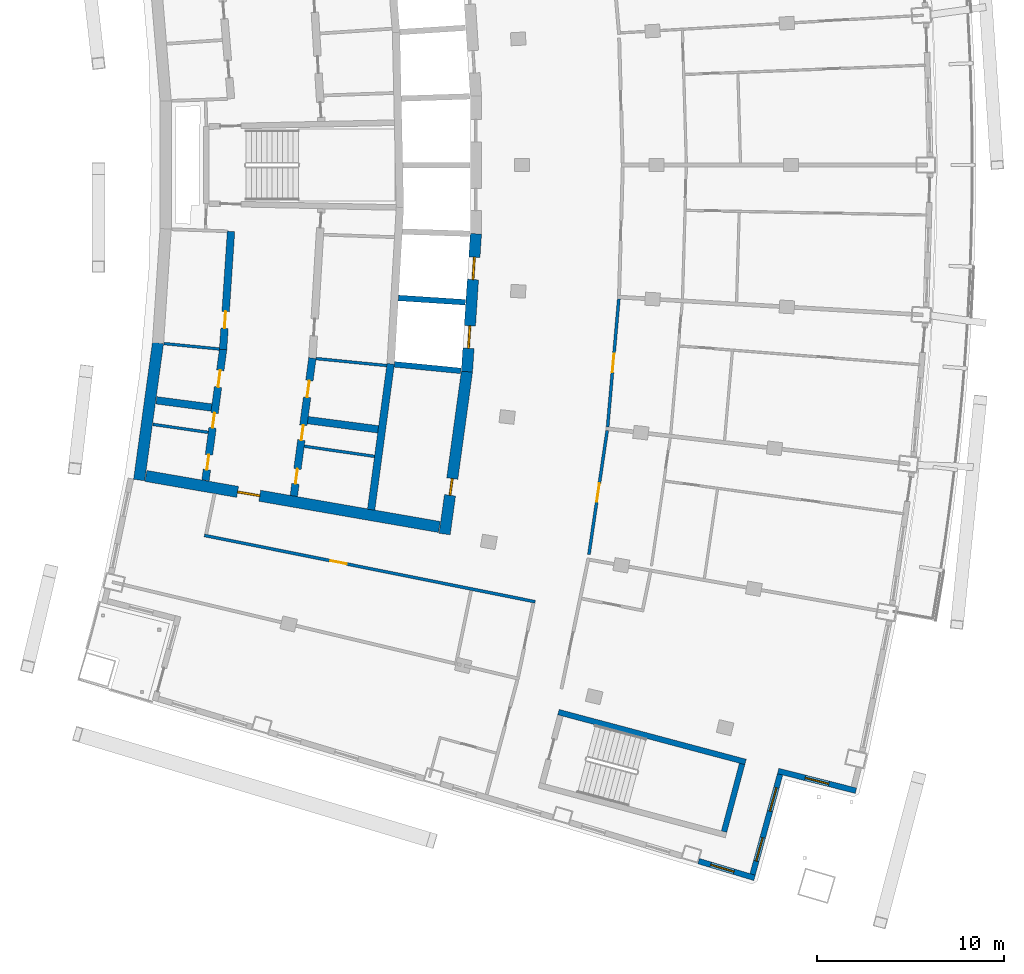
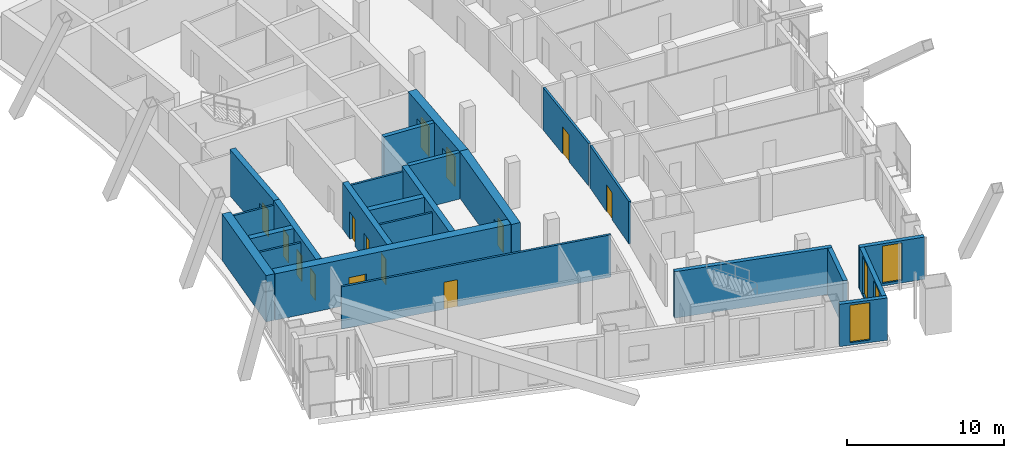
# One storey, part 10 of 19: 24 walls, 14 doors, 4 windows, 18 openings.
"""IFC4 building model written with IfcOpenShell, lengths in metres."""

from ifc_helpers import new_model, si_unit, direction, frame, frame_2d, origin, place, context, subcontext, project, spatial, rectangle, extrude, material, layer, layer_set, type_object, element, fill, save


model = new_model("IFC4")

# Units and contexts
model_context = context("Model", 3, precision=1e-05, world=origin(), true_north=direction((0.0, 1.0)))
body_context = subcontext(model_context, "Body", "Model", "MODEL_VIEW")
ifc_project = project(units=[si_unit("LENGTHUNIT", "METRE"), si_unit("AREAUNIT", "SQUARE_METRE"), si_unit("VOLUMEUNIT", "CUBIC_METRE"), si_unit("PLANEANGLEUNIT", "RADIAN"), si_unit("MASSUNIT", "GRAM", prefix="KILO")], contexts=[model_context])

# Site, building, storey
site_placement = place(None, origin())
site = spatial("IfcSite", under=ifc_project, at=site_placement, CompositionType="ELEMENT")
building_placement = place(site_placement, origin())
building = spatial("IfcBuilding", under=site, at=building_placement, Name="Alderwake Tower", CompositionType="ELEMENT")
storey_placement = place(building_placement, frame((0.0, 0.0, 221.60009765625)))
storey = spatial("IfcBuildingStorey", under=building, at=storey_placement, Name="L55", CompositionType="ELEMENT", Elevation=221.60009765625)

# Walls
ifc_material_1 = material(Name="Gypsum shaft wall system, rated")
ifc_layer_1 = layer(ifc_material_1, 0.14990234375)
ifc_layer_set_1 = layer_set([ifc_layer_1], Name="Core room partition 150")
wall_type_1 = type_object("IfcWallType", Name="Core room partition 150", PredefinedType="PARTITIONING", material=ifc_layer_set_1)
wall_1_placement = place(storey_placement, frame((16.064453125, 47.125, 0.0), z_axis=(0.0, 0.0, 1.0), x_axis=(0.989723849993, -0.142991960454, 0.0)))
element("IfcWall", 1, at=wall_1_placement, inside=storey, type_object=wall_type_1, Name="CW/L55/PR-150_+0", PredefinedType="PARTITIONING", context=body_context, shape_type="SweptSolid", body=[
    extrude(rectangle(XDim=2.98095703125, YDim=0.14990234375, at=frame_2d((1.490478515625, 0.0))), origin(), (0.0, 0.0, 1.0), 3.27978515625),
])
wall_2_placement = place(storey_placement, frame((24.158203125, 45.9560546875, 0.0), z_axis=(0.0, 0.0, 1.0), x_axis=(0.989724412664, -0.142988065858, 0.0)))
element("IfcWall", 2, at=wall_2_placement, inside=storey, type_object=wall_type_1, Name="CW/L55/PR-150_+86", PredefinedType="PARTITIONING", context=body_context, shape_type="SweptSolid", body=[
    extrude(rectangle(XDim=3.795654296875, YDim=0.14990234375, at=frame_2d((1.89794921875, 0.0))), origin(), (0.0, 0.0, 1.0), 3.27978515625),
])
wall_3_placement = place(storey_placement, frame((16.659423828125, 51.448486328125, 0.0), z_axis=(0.0, 0.0, 1.0), x_axis=(0.995154514796, -0.098323403527, 0.0)))
element("IfcWall", 3, at=wall_3_placement, inside=storey, type_object=wall_type_1, Name="CW/L55/PR-103_+0", PredefinedType="PARTITIONING", context=body_context, shape_type="SweptSolid", body=[
    extrude(rectangle(XDim=2.9697265625, YDim=0.14990234375, at=frame_2d((1.48486328125, 0.0))), origin(), (0.0, 0.0, 1.0), 3.27978515625),
])
wall_4_placement = place(storey_placement, frame((24.789794921875, 50.64501953125, 0.0), z_axis=(0.0, 0.0, 1.0), x_axis=(0.995153039802, -0.098338331148, 0.0)))
element("IfcWall", 4, at=wall_4_placement, inside=storey, type_object=wall_type_1, Name="CW/L55/PR-103_+86", PredefinedType="PARTITIONING", context=body_context, shape_type="SweptSolid", body=[
    extrude(rectangle(XDim=3.7958984375, YDim=0.14990234375, at=frame_2d((1.89794921875, 0.0))), origin(), (0.0, 0.0, 1.0), 3.27978515625),
])
ifc_material_2 = material(Name="Concrete C70/85", Category="concrete")
ifc_layer_2 = layer(ifc_material_2, 0.60009765625)
ifc_layer_set_2 = layer_set([ifc_layer_2], Name="Core wall outer 600 C70-85")
wall_type_2 = type_object("IfcWallType", Name="Core wall outer 600 C70-85", PredefinedType="SHEAR", material=ifc_layer_set_2)
wall_5_placement = place(storey_placement, frame((15.321533203125, 44.146240234375, 0.0), z_axis=(0.0, 0.0, 1.0), x_axis=(0.136316498814, 0.990665338119, 0.0)))
element("IfcWall", 5, at=wall_5_placement, inside=storey, type_object=wall_type_2, Name="Core wall CW.037", PredefinedType="SHEAR", context=body_context, shape_type="SweptSolid", body=[
    extrude(rectangle(XDim=7.41455078125, YDim=0.60009765625, at=frame_2d((3.707275390625, 0.0))), origin(), (0.0, 0.0, 1.0), 3.599853515625),
])

# Wall, opening, door
wall_6_placement = place(storey_placement, frame((32.862548828125, 49.967529296875, 0.0), z_axis=(0.0, 0.0, 1.0), x_axis=(-0.135856583698, -0.990728514108, 0.0)))
wall_6 = element("IfcWall", 6, at=wall_6_placement, inside=storey, type_object=wall_type_2, Name="Core wall CW.017", PredefinedType="SHEAR", context=body_context, shape_type="SweptSolid", body=[
    extrude(rectangle(XDim=8.79296875, YDim=0.60009765625, at=frame_2d((4.396484375, 0.0))), origin(), (0.0, 0.0, 1.0), 3.599853515625),
])
opening_1_placement = place(wall_6_placement, frame((5.79541015625, 0.0, 0.0)))
opening_1 = element("IfcOpeningElement", 7, at=opening_1_placement, cuts=wall_6, Name="Opening C060", PredefinedType="OPENING", context=body_context, shape_type="SweptSolid", body=[
    extrude(rectangle(XDim=0.89990234375, YDim=2.10009765625, at=frame_2d((0.449951171875, 1.050048828125))), frame((0.0, 0.31005859375, 0.0), z_axis=(0.0, -1.0, 0.0), x_axis=(1.0, 0.0, 0.0)), (0.0, 0.0, 1.0), 0.6201171875),
])
ifc_material_3 = material(Name="Painted steel leaf", Category="steel")
door_type_1 = type_object("IfcDoorType", Name="Core room door 900", OperationType="SINGLE_SWING_LEFT", PredefinedType="DOOR", material=ifc_material_3)
door_1_placement = place(opening_1_placement, origin())
door_1 = element("IfcDoor", 8, at=door_1_placement, inside=storey, type_object=door_type_1, Name="Room door", OperationType="SINGLE_SWING_RIGHT", OverallHeight=2.10009765625, OverallWidth=0.89990234375, PredefinedType="DOOR", context=body_context, shape_type="SweptSolid", body=[
    extrude(rectangle(XDim=0.89990234375, YDim=2.10009765625, at=frame_2d((0.449951171875, 1.050048828125))), frame((0.0, 0.050048828125, 0.0), z_axis=(0.0, -1.0, 0.0), x_axis=(1.0, 0.0, 0.0)), (0.0, 0.0, 1.0), 0.10009765625),
])
fill(opening_1, door_1)

# Wall, openings, doors
wall_7_placement = place(storey_placement, frame((32.860107421875, 49.9453125, 0.0), z_axis=(0.0, 0.0, 1.0), x_axis=(0.065013379938, 0.997884392317, 0.0)))
wall_7 = element("IfcWall", 9, at=wall_7_placement, inside=storey, type_object=wall_type_2, Name="Core wall CW.016", PredefinedType="SHEAR", context=body_context, shape_type="SweptSolid", body=[
    extrude(rectangle(XDim=7.39404296875, YDim=0.60009765625, at=frame_2d((3.697021484375, 0.0))), origin(), (0.0, 0.0, 1.0), 3.599853515625),
])
opening_2_placement = place(wall_7_placement, frame((1.254150390625, 0.0, 0.0)))
opening_2 = element("IfcOpeningElement", 10, at=opening_2_placement, cuts=wall_7, Name="Opening LD-HP1", PredefinedType="OPENING", context=body_context, shape_type="SweptSolid", body=[
    extrude(rectangle(XDim=1.199951171875, YDim=2.300048828125, at=frame_2d((0.60009765625, 1.14990234375))), frame((0.0, 0.31005859375, 0.0), z_axis=(0.0, -1.0, 0.0), x_axis=(1.0, 0.0, 0.0)), (0.0, 0.0, 1.0), 0.6201171875),
])
opening_3_placement = place(wall_7_placement, frame((4.941162109375, 0.0, 0.0)))
opening_3 = element("IfcOpeningElement", 11, at=opening_3_placement, cuts=wall_7, Name="Opening LD-HP2", PredefinedType="OPENING", context=body_context, shape_type="SweptSolid", body=[
    extrude(rectangle(XDim=1.199951171875, YDim=2.300048828125, at=frame_2d((0.60009765625, 1.14990234375))), frame((0.0, 0.31005859375, 0.0), z_axis=(0.0, -1.0, 0.0), x_axis=(1.0, 0.0, 0.0)), (0.0, 0.0, 1.0), 0.6201171875),
])
ifc_material_4 = material(Name="Stainless steel sliding leaf", Category="steel")
door_type_2 = type_object("IfcDoorType", Name="Lift landing door 1200", OperationType="SLIDING_TO_LEFT", PredefinedType="DOOR", material=ifc_material_4)
door_2_placement = place(opening_2_placement, origin())
door_2 = element("IfcDoor", 12, at=door_2_placement, inside=storey, type_object=door_type_2, Name="Lift landing door HP1", OperationType="SLIDING_TO_LEFT", OverallHeight=2.300048828125, OverallWidth=1.199951171875, PredefinedType="DOOR", context=body_context, shape_type="SweptSolid", body=[
    extrude(rectangle(XDim=1.199951171875, YDim=2.300048828125, at=frame_2d((0.60009765625, 1.14990234375))), frame((0.0, 0.050048828125, 0.0), z_axis=(0.0, -1.0, 0.0), x_axis=(1.0, 0.0, 0.0)), (0.0, 0.0, 1.0), 0.10009765625),
])
fill(opening_2, door_2)
door_3_placement = place(opening_3_placement, origin())
door_3 = element("IfcDoor", 13, at=door_3_placement, inside=storey, type_object=door_type_2, Name="Lift landing door HP2", OperationType="SLIDING_TO_LEFT", OverallHeight=2.300048828125, OverallWidth=1.199951171875, PredefinedType="DOOR", context=body_context, shape_type="SweptSolid", body=[
    extrude(rectangle(XDim=1.199951171875, YDim=2.300048828125, at=frame_2d((0.60009765625, 1.14990234375))), frame((0.0, 0.050048828125, 0.0), z_axis=(0.0, -1.0, 0.0), x_axis=(1.0, 0.0, 0.0)), (0.0, 0.0, 1.0), 0.10009765625),
])
fill(opening_3, door_3)

# Wall, opening, door
wall_8_placement = place(storey_placement, frame((31.386962890625, 41.63525390625, 0.0), z_axis=(0.0, 0.0, 1.0), x_axis=(-0.985223108003, 0.171275881127, 0.0)))
wall_8 = element("IfcWall", 14, at=wall_8_placement, inside=storey, type_object=wall_type_2, Name="Core wall CW.072", PredefinedType="SHEAR", context=body_context, shape_type="SweptSolid", body=[
    extrude(rectangle(XDim=15.937744140625, YDim=0.60009765625, at=frame_2d((7.96875, 0.0))), origin(), (0.0, 0.0, 1.0), 3.599853515625),
])
opening_4_placement = place(wall_8_placement, frame((9.757568359375, 0.0, 0.0)))
opening_4 = element("IfcOpeningElement", 15, at=opening_4_placement, cuts=wall_8, Name="Opening C003", PredefinedType="OPENING", context=body_context, shape_type="SweptSolid", body=[
    extrude(rectangle(XDim=1.199951171875, YDim=2.10009765625, at=frame_2d((0.60009765625, 1.050048828125))), frame((0.0, 0.31005859375, 0.0), z_axis=(0.0, -1.0, 0.0), x_axis=(1.0, 0.0, 0.0)), (0.0, 0.0, 1.0), 0.6201171875),
])
ifc_material_5 = material(Name="Steel-framed fire door leaf", Category="steel")
door_type_3 = type_object("IfcDoorType", Name="Core lobby exit door 1200 fire-rated", OperationType="SINGLE_SWING_LEFT", PredefinedType="DOOR", material=ifc_material_5)
door_4_placement = place(opening_4_placement, origin())
door_4 = element("IfcDoor", 16, at=door_4_placement, inside=storey, type_object=door_type_3, Name="Lobby door", OperationType="SINGLE_SWING_LEFT", OverallHeight=2.10009765625, OverallWidth=1.199951171875, PredefinedType="DOOR", context=body_context, shape_type="SweptSolid", body=[
    extrude(rectangle(XDim=1.199951171875, YDim=2.10009765625, at=frame_2d((0.60009765625, 1.050048828125))), frame((0.0, 0.050048828125, 0.0), z_axis=(0.0, -1.0, 0.0), x_axis=(1.0, 0.0, 0.0)), (0.0, 0.0, 1.0), 0.10009765625),
])
fill(opening_4, door_4)

# Walls
ifc_material_6 = material(Name="Concrete C70/85", Category="concrete")
ifc_layer_3 = layer(ifc_material_6, 0.300048828125)
ifc_layer_set_3 = layer_set([ifc_layer_3], Name="Core wall shaft 300 C70-85")
wall_type_3 = type_object("IfcWallType", Name="Core wall shaft 300 C70-85", PredefinedType="SHEAR", material=ifc_layer_set_3)
wall_9_placement = place(storey_placement, frame((28.9794921875, 50.336181640625, 0.0), z_axis=(0.0, 0.0, 1.0), x_axis=(0.995246218868, -0.097390778977, 0.0)))
element("IfcWall", 17, at=wall_9_placement, inside=storey, type_object=wall_type_3, Name="Core wall CW.064", PredefinedType="SHEAR", context=body_context, shape_type="SweptSolid", body=[
    extrude(rectangle(XDim=3.56982421875, YDim=0.300048828125, at=frame_2d((1.784912109375, 0.0))), origin(), (0.0, 0.0, 1.0), 3.599853515625),
])
wall_10_placement = place(storey_placement, frame((29.190185546875, 53.8896484375, 0.0), z_axis=(0.0, 0.0, 1.0), x_axis=(0.997887207314, -0.064970158371, 0.0)))
element("IfcWall", 18, at=wall_10_placement, inside=storey, type_object=wall_type_3, Name="Core wall CW.078", PredefinedType="SHEAR", context=body_context, shape_type="SweptSolid", body=[
    extrude(rectangle(XDim=3.588623046875, YDim=0.300048828125, at=frame_2d((1.79443359375, 0.0))), origin(), (0.0, 0.0, 1.0), 3.599853515625),
])

# Wall, openings, doors
ifc_material_7 = material(Name="Concrete C70/85", Category="concrete")
ifc_layer_4 = layer(ifc_material_7, 0.39990234375)
ifc_layer_set_4 = layer_set([ifc_layer_4], Name="Core wall spine 400 C70-85")
wall_type_4 = type_object("IfcWallType", Name="Core wall spine 400 C70-85", PredefinedType="SHEAR", material=ifc_layer_set_4)
wall_11_placement = place(storey_placement, frame((19.814697265625, 51.143798828125, 0.0), z_axis=(0.0, 0.0, 1.0), x_axis=(-0.133333838703, -0.991071181831, 0.0)))
wall_11 = element("IfcWall", 19, at=wall_11_placement, inside=storey, type_object=wall_type_4, Name="Core wall CW.033", PredefinedType="SHEAR", context=body_context, shape_type="SweptSolid", body=[
    extrude(rectangle(XDim=7.078857421875, YDim=0.39990234375, at=frame_2d((3.53955078125, 0.0))), origin(), (0.0, 0.0, 1.0), 3.599853515625),
])
opening_5_placement = place(wall_11_placement, frame((5.69677734375, 0.0, 0.0)))
opening_5 = element("IfcOpeningElement", 20, at=opening_5_placement, cuts=wall_11, Name="Opening C008", PredefinedType="OPENING", context=body_context, shape_type="SweptSolid", body=[
    extrude(rectangle(XDim=0.800048828125, YDim=2.0, at=frame_2d((0.39990234375, 1.0))), frame((0.0, 0.2099609375, 0.0), z_axis=(0.0, -1.0, 0.0), x_axis=(1.0, 0.0, 0.0)), (0.0, 0.0, 1.0), 0.419921875),
])
opening_6_placement = place(wall_11_placement, frame((3.443115234375, 0.0, 0.0)))
opening_6 = element("IfcOpeningElement", 21, at=opening_6_placement, cuts=wall_11, Name="Opening C012", PredefinedType="OPENING", context=body_context, shape_type="SweptSolid", body=[
    extrude(rectangle(XDim=0.800048828125, YDim=2.0, at=frame_2d((0.39990234375, 1.0))), frame((0.0, 0.2099609375, 0.0), z_axis=(0.0, -1.0, 0.0), x_axis=(1.0, 0.0, 0.0)), (0.0, 0.0, 1.0), 0.419921875),
])
opening_7_placement = place(wall_11_placement, frame((1.13916015625, 0.0, 0.0)))
opening_7 = element("IfcOpeningElement", 22, at=opening_7_placement, cuts=wall_11, Name="Opening C039", PredefinedType="OPENING", context=body_context, shape_type="SweptSolid", body=[
    extrude(rectangle(XDim=0.89990234375, YDim=2.10009765625, at=frame_2d((0.449951171875, 1.050048828125))), frame((0.0, 0.2099609375, 0.0), z_axis=(0.0, -1.0, 0.0), x_axis=(1.0, 0.0, 0.0)), (0.0, 0.0, 1.0), 0.419921875),
])
door_5_placement = place(opening_7_placement, origin())
door_5 = element("IfcDoor", 23, at=door_5_placement, inside=storey, type_object=door_type_1, Name="Room door", OperationType="SINGLE_SWING_LEFT", OverallHeight=2.10009765625, OverallWidth=0.89990234375, PredefinedType="DOOR", context=body_context, shape_type="SweptSolid", body=[
    extrude(rectangle(XDim=0.89990234375, YDim=2.10009765625, at=frame_2d((0.449951171875, 1.050048828125))), frame((0.0, 0.02490234375, 0.0), z_axis=(0.0, -1.0, 0.0), x_axis=(1.0, 0.0, 0.0)), (0.0, 0.0, 1.0), 0.050048828125),
])
fill(opening_7, door_5)
ifc_material_8 = material(Name="Painted steel leaf, rated", Category="steel")
door_type_4 = type_object("IfcDoorType", Name="Riser access door 800", OperationType="SINGLE_SWING_LEFT", PredefinedType="DOOR", material=ifc_material_8)
door_6_placement = place(opening_5_placement, origin())
door_6 = element("IfcDoor", 24, at=door_6_placement, inside=storey, type_object=door_type_4, Name="Riser access door", OperationType="SINGLE_SWING_LEFT", OverallHeight=2.0, OverallWidth=0.800048828125, PredefinedType="DOOR", context=body_context, shape_type="SweptSolid", body=[
    extrude(rectangle(XDim=0.800048828125, YDim=2.0, at=frame_2d((0.39990234375, 1.0))), frame((0.0, 0.02490234375, 0.0), z_axis=(0.0, -1.0, 0.0), x_axis=(1.0, 0.0, 0.0)), (0.0, 0.0, 1.0), 0.050048828125),
])
fill(opening_5, door_6)
door_7_placement = place(opening_6_placement, origin())
door_7 = element("IfcDoor", 25, at=door_7_placement, inside=storey, type_object=door_type_4, Name="Riser access door", OperationType="SINGLE_SWING_RIGHT", OverallHeight=2.0, OverallWidth=0.800048828125, PredefinedType="DOOR", context=body_context, shape_type="SweptSolid", body=[
    extrude(rectangle(XDim=0.800048828125, YDim=2.0, at=frame_2d((0.39990234375, 1.0))), frame((0.0, 0.02490234375, 0.0), z_axis=(0.0, -1.0, 0.0), x_axis=(1.0, 0.0, 0.0)), (0.0, 0.0, 1.0), 0.050048828125),
])
fill(opening_6, door_7)

# Wall, opening, door
wall_12_placement = place(storey_placement, frame((20.2373046875, 57.451904296875, 0.0), z_axis=(0.0, 0.0, 1.0), x_axis=(-0.066884681503, -0.997760712486, 0.0)))
wall_12 = element("IfcWall", 26, at=wall_12_placement, inside=storey, type_object=wall_type_4, Name="Core wall CW.032", PredefinedType="SHEAR", context=body_context, shape_type="SweptSolid", body=[
    extrude(rectangle(XDim=6.336669921875, YDim=0.39990234375, at=frame_2d((3.16845703125, 0.0))), origin(), (0.0, 0.0, 1.0), 3.599853515625),
])
opening_8_placement = place(wall_12_placement, frame((4.297119140625, 0.0, 0.0)))
opening_8 = element("IfcOpeningElement", 27, at=opening_8_placement, cuts=wall_12, Name="Opening C040", PredefinedType="OPENING", context=body_context, shape_type="SweptSolid", body=[
    extrude(rectangle(XDim=0.89990234375, YDim=2.10009765625, at=frame_2d((0.449951171875, 1.050048828125))), frame((0.0, 0.2099609375, 0.0), z_axis=(0.0, -1.0, 0.0), x_axis=(1.0, 0.0, 0.0)), (0.0, 0.0, 1.0), 0.419921875),
])
door_8_placement = place(opening_8_placement, origin())
door_8 = element("IfcDoor", 28, at=door_8_placement, inside=storey, type_object=door_type_1, Name="Room door", OperationType="SINGLE_SWING_RIGHT", OverallHeight=2.10009765625, OverallWidth=0.89990234375, PredefinedType="DOOR", context=body_context, shape_type="SweptSolid", body=[
    extrude(rectangle(XDim=0.89990234375, YDim=2.10009765625, at=frame_2d((0.449951171875, 1.050048828125))), frame((0.0, 0.02490234375, 0.0), z_axis=(0.0, -1.0, 0.0), x_axis=(1.0, 0.0, 0.0)), (0.0, 0.0, 1.0), 0.050048828125),
])
fill(opening_8, door_8)

# Wall, openings, doors
wall_13_placement = place(storey_placement, frame((23.597412109375, 43.29248046875, 0.0), z_axis=(0.0, 0.0, 1.0), x_axis=(0.133499326361, 0.99104890387, 0.0)))
wall_13 = element("IfcWall", 29, at=wall_13_placement, inside=storey, type_object=wall_type_4, Name="Core wall CW.047", PredefinedType="SHEAR", context=body_context, shape_type="SweptSolid", body=[
    extrude(rectangle(XDim=7.44677734375, YDim=0.39990234375, at=frame_2d((3.723388671875, 0.0))), origin(), (0.0, 0.0, 1.0), 3.599853515625),
])
opening_9_placement = place(wall_13_placement, frame((0.65771484375, 0.0, 0.0)))
opening_9 = element("IfcOpeningElement", 30, at=opening_9_placement, cuts=wall_13, Name="Opening C015", PredefinedType="OPENING", context=body_context, shape_type="SweptSolid", body=[
    extrude(rectangle(XDim=0.800048828125, YDim=2.0, at=frame_2d((0.39990234375, 1.0))), frame((0.0, 0.2099609375, 0.0), z_axis=(0.0, -1.0, 0.0), x_axis=(1.0, 0.0, 0.0)), (0.0, 0.0, 1.0), 0.419921875),
])
opening_10_placement = place(wall_13_placement, frame((3.019287109375, 0.0, 0.0)))
opening_10 = element("IfcOpeningElement", 31, at=opening_10_placement, cuts=wall_13, Name="Opening C019", PredefinedType="OPENING", context=body_context, shape_type="SweptSolid", body=[
    extrude(rectangle(XDim=0.800048828125, YDim=2.0, at=frame_2d((0.39990234375, 1.0))), frame((0.0, 0.2099609375, 0.0), z_axis=(0.0, -1.0, 0.0), x_axis=(1.0, 0.0, 0.0)), (0.0, 0.0, 1.0), 0.419921875),
])
opening_11_placement = place(wall_13_placement, frame((5.331298828125, 0.0, 0.0)))
opening_11 = element("IfcOpeningElement", 32, at=opening_11_placement, cuts=wall_13, Name="Opening C045", PredefinedType="OPENING", context=body_context, shape_type="SweptSolid", body=[
    extrude(rectangle(XDim=0.89990234375, YDim=2.10009765625, at=frame_2d((0.449951171875, 1.050048828125))), frame((0.0, 0.2099609375, 0.0), z_axis=(0.0, -1.0, 0.0), x_axis=(1.0, 0.0, 0.0)), (0.0, 0.0, 1.0), 0.419921875),
])
door_9_placement = place(opening_11_placement, origin())
door_9 = element("IfcDoor", 33, at=door_9_placement, inside=storey, type_object=door_type_1, Name="Room door", OperationType="SINGLE_SWING_LEFT", OverallHeight=2.10009765625, OverallWidth=0.89990234375, PredefinedType="DOOR", context=body_context, shape_type="SweptSolid", body=[
    extrude(rectangle(XDim=0.89990234375, YDim=2.10009765625, at=frame_2d((0.449951171875, 1.050048828125))), frame((0.0, 0.02490234375, 0.0), z_axis=(0.0, -1.0, 0.0), x_axis=(1.0, 0.0, 0.0)), (0.0, 0.0, 1.0), 0.050048828125),
])
fill(opening_11, door_9)
door_10_placement = place(opening_9_placement, origin())
door_10 = element("IfcDoor", 34, at=door_10_placement, inside=storey, type_object=door_type_4, Name="Riser access door", OperationType="SINGLE_SWING_LEFT", OverallHeight=2.0, OverallWidth=0.800048828125, PredefinedType="DOOR", context=body_context, shape_type="SweptSolid", body=[
    extrude(rectangle(XDim=0.800048828125, YDim=2.0, at=frame_2d((0.39990234375, 1.0))), frame((0.0, 0.02490234375, 0.0), z_axis=(0.0, -1.0, 0.0), x_axis=(1.0, 0.0, 0.0)), (0.0, 0.0, 1.0), 0.050048828125),
])
fill(opening_9, door_10)
door_11_placement = place(opening_10_placement, origin())
door_11 = element("IfcDoor", 35, at=door_11_placement, inside=storey, type_object=door_type_4, Name="Riser access door", OperationType="SINGLE_SWING_RIGHT", OverallHeight=2.0, OverallWidth=0.800048828125, PredefinedType="DOOR", context=body_context, shape_type="SweptSolid", body=[
    extrude(rectangle(XDim=0.800048828125, YDim=2.0, at=frame_2d((0.39990234375, 1.0))), frame((0.0, 0.02490234375, 0.0), z_axis=(0.0, -1.0, 0.0), x_axis=(1.0, 0.0, 0.0)), (0.0, 0.0, 1.0), 0.050048828125),
])
fill(opening_10, door_11)

# Walls
wall_14_placement = place(storey_placement, frame((27.7333984375, 42.56103515625, 0.0), z_axis=(0.0, 0.0, 1.0), x_axis=(0.133132598714, 0.991098234869, 0.0)))
element("IfcWall", 36, at=wall_14_placement, inside=storey, type_object=wall_type_4, Name="Core wall CW.006", PredefinedType="SHEAR", context=body_context, shape_type="SweptSolid", body=[
    extrude(rectangle(XDim=7.87255859375, YDim=0.39990234375, at=frame_2d((3.936279296875, 0.0))), origin(), (0.0, 0.0, 1.0), 3.599853515625),
])
wall_15_placement = place(storey_placement, frame((16.24169921875, 48.412353515625, 0.0), z_axis=(0.0, 0.0, 1.0), x_axis=(0.991548658387, -0.129735338481, 0.0)))
element("IfcWall", 37, at=wall_15_placement, inside=storey, type_object=wall_type_4, Name="Core wall CW.067", PredefinedType="SHEAR", context=body_context, shape_type="SweptSolid", body=[
    extrude(rectangle(XDim=2.97705078125, YDim=0.39990234375, at=frame_2d((1.488525390625, 0.0))), origin(), (0.0, 0.0, 1.0), 3.599853515625),
])
wall_16_placement = place(storey_placement, frame((24.34619140625, 47.352294921875, 0.0), z_axis=(0.0, 0.0, 1.0), x_axis=(0.991554071493, -0.129693960172, 0.0)))
element("IfcWall", 38, at=wall_16_placement, inside=storey, type_object=wall_type_4, Name="Core wall CW.069", PredefinedType="SHEAR", context=body_context, shape_type="SweptSolid", body=[
    extrude(rectangle(XDim=3.794921875, YDim=0.39990234375, at=frame_2d((1.8974609375, 0.0))), origin(), (0.0, 0.0, 1.0), 3.599853515625),
])
ifc_material_9 = material(Name="Concrete C70/85", Category="concrete")
ifc_layer_5 = layer(ifc_material_9, 0.300048828125)
ifc_layer_set_5 = layer_set([ifc_layer_5], Name="Core wall stair enclosure 300 C70-85")
wall_type_5 = type_object("IfcWallType", Name="Core wall stair enclosure 300 C70-85", PredefinedType="SHEAR", material=ifc_layer_set_5)
wall_17_placement = place(storey_placement, frame((37.75390625, 31.731201171875, 0.0), z_axis=(0.0, 0.0, 1.0), x_axis=(0.966309214305, -0.257383958996, 0.0)))
element("IfcWall", 39, at=wall_17_placement, inside=storey, type_object=wall_type_5, Name="Core wall CW.086", PredefinedType="SHEAR", context=body_context, shape_type="SweptSolid", body=[
    extrude(rectangle(XDim=10.360107421875, YDim=0.300048828125, at=frame_2d((5.18017578125, 0.0))), origin(), (0.0, 0.0, 1.0), 3.599853515625),
])
wall_18_placement = place(storey_placement, frame((46.6162109375, 25.334716796875, 0.0), z_axis=(0.0, 0.0, 1.0), x_axis=(0.257366821694, 0.966313778796, 0.0)))
element("IfcWall", 40, at=wall_18_placement, inside=storey, type_object=wall_type_5, Name="Core wall CW.085", PredefinedType="SHEAR", context=body_context, shape_type="SweptSolid", body=[
    extrude(rectangle(XDim=3.749755859375, YDim=0.300048828125, at=frame_2d((1.875, 0.0))), origin(), (0.0, 0.0, 1.0), 3.599853515625),
])

# Wall, opening, door
ifc_material_10 = material(Name="Gypsum board on metal studs, rated")
ifc_layer_6 = layer(ifc_material_10, 0.159912109375)
ifc_layer_set_6 = layer_set([ifc_layer_6], Name="Corridor wall 160")
wall_type_6 = type_object("IfcWallType", Name="Corridor wall 160", PredefinedType="PARTITIONING", material=ifc_layer_set_6)
wall_19_placement = place(storey_placement, frame((36.513427734375, 37.63427734375, 0.0), z_axis=(0.0, 0.0, 1.0), x_axis=(-0.980470254867, 0.1966674333, 0.0)))
wall_19 = element("IfcWall", 41, at=wall_19_placement, inside=storey, type_object=wall_type_6, Name="WL/L55/W12", PredefinedType="PARTITIONING", context=body_context, shape_type="SweptSolid", body=[
    extrude(rectangle(XDim=18.053466796875, YDim=0.159912109375, at=frame_2d((9.02685546875, 0.0))), origin(), (0.0, 0.0, 1.0), 3.27978515625),
])
opening_12_placement = place(wall_19_placement, frame((10.277099609375, 0.0, 0.0)))
opening_12 = element("IfcOpeningElement", 42, at=opening_12_placement, cuts=wall_19, Name="Opening R16-SBS1", PredefinedType="OPENING", context=body_context, shape_type="SweptSolid", body=[
    extrude(rectangle(XDim=0.89990234375, YDim=2.10009765625, at=frame_2d((0.449951171875, 1.050048828125))), frame((0.0, 0.08984375, 0.0), z_axis=(0.0, -1.0, 0.0), x_axis=(1.0, 0.0, 0.0)), (0.0, 0.0, 1.0), 0.179931640625),
])
ifc_material_11 = material(Name="Painted timber leaf", Category="wood")
door_type_5 = type_object("IfcDoorType", Name="Room door 900", OperationType="SINGLE_SWING_LEFT", PredefinedType="DOOR", material=ifc_material_11)
door_12_placement = place(opening_12_placement, origin())
door_12 = element("IfcDoor", 43, at=door_12_placement, inside=storey, type_object=door_type_5, Name="DR/L55/SBS1", OperationType="SINGLE_SWING_LEFT", OverallHeight=2.10009765625, OverallWidth=0.89990234375, PredefinedType="DOOR", context=body_context, shape_type="SweptSolid", body=[
    extrude(rectangle(XDim=0.89990234375, YDim=2.10009765625, at=frame_2d((0.449951171875, 1.050048828125))), frame((0.0, 0.02490234375, 0.0), z_axis=(0.0, -1.0, 0.0), x_axis=(1.0, 0.0, 0.0)), (0.0, 0.0, 1.0), 0.050048828125),
])
fill(opening_12, door_12)

wall_20_placement = place(storey_placement, frame((40.3623046875, 46.7939453125, 0.0), z_axis=(0.0, 0.0, 1.0), x_axis=(-0.145513909196, -0.989356205939, 0.0)))
wall_20 = element("IfcWall", 44, at=wall_20_placement, inside=storey, type_object=wall_type_6, Name="WL/L55/W23", PredefinedType="PARTITIONING", context=body_context, shape_type="SweptSolid", body=[
    extrude(rectangle(XDim=6.704345703125, YDim=0.159912109375, at=frame_2d((3.35205078125, 0.0))), origin(), (0.0, 0.0, 1.0), 3.27978515625),
])
opening_13_placement = place(wall_20_placement, frame((2.852294921875, 0.0, 0.0)))
opening_13 = element("IfcOpeningElement", 45, at=opening_13_placement, cuts=wall_20, Name="Opening R16-U03.1", PredefinedType="OPENING", context=body_context, shape_type="SweptSolid", body=[
    extrude(rectangle(XDim=1.0, YDim=2.10009765625, at=frame_2d((0.5, 1.050048828125))), frame((0.0, 0.08984375, 0.0), z_axis=(0.0, -1.0, 0.0), x_axis=(1.0, 0.0, 0.0)), (0.0, 0.0, 1.0), 0.179931640625),
])
ifc_material_12 = material(Name="Solid timber leaf in steel frame", Category="steel")
door_type_6 = type_object("IfcDoorType", Name="Flat entrance door 1000 fire-rated", OperationType="SINGLE_SWING_LEFT", PredefinedType="DOOR", material=ifc_material_12)
door_13_placement = place(opening_13_placement, origin())
door_13 = element("IfcDoor", 46, at=door_13_placement, inside=storey, type_object=door_type_6, Name="DR/L55/U03.1", OperationType="SINGLE_SWING_LEFT", OverallHeight=2.10009765625, OverallWidth=1.0, PredefinedType="DOOR", context=body_context, shape_type="SweptSolid", body=[
    extrude(rectangle(XDim=1.0, YDim=2.10009765625, at=frame_2d((0.5, 1.050048828125))), frame((0.0, 0.02490234375, 0.0), z_axis=(0.0, -1.0, 0.0), x_axis=(1.0, 0.0, 0.0)), (0.0, 0.0, 1.0), 0.050048828125),
])
fill(opening_13, door_13)

wall_21_placement = place(storey_placement, frame((40.986328125, 53.834228515625, 0.0), z_axis=(0.0, 0.0, 1.0), x_axis=(-0.087448731147, -0.996169021512, 0.0)))
wall_21 = element("IfcWall", 47, at=wall_21_placement, inside=storey, type_object=wall_type_6, Name="WL/L55/W25", PredefinedType="PARTITIONING", context=body_context, shape_type="SweptSolid", body=[
    extrude(rectangle(XDim=6.867919921875, YDim=0.159912109375, at=frame_2d((3.43408203125, 0.0))), origin(), (0.0, 0.0, 1.0), 3.27978515625),
])
opening_14_placement = place(wall_21_placement, frame((2.93408203125, 0.0, 0.0)))
opening_14 = element("IfcOpeningElement", 48, at=opening_14_placement, cuts=wall_21, Name="Opening R16-U04.1", PredefinedType="OPENING", context=body_context, shape_type="SweptSolid", body=[
    extrude(rectangle(XDim=1.0, YDim=2.10009765625, at=frame_2d((0.5, 1.050048828125))), frame((0.0, 0.08984375, 0.0), z_axis=(0.0, -1.0, 0.0), x_axis=(1.0, 0.0, 0.0)), (0.0, 0.0, 1.0), 0.179931640625),
])
door_14_placement = place(opening_14_placement, origin())
door_14 = element("IfcDoor", 49, at=door_14_placement, inside=storey, type_object=door_type_6, Name="DR/L55/U04.1", OperationType="SINGLE_SWING_LEFT", OverallHeight=2.10009765625, OverallWidth=1.0, PredefinedType="DOOR", context=body_context, shape_type="SweptSolid", body=[
    extrude(rectangle(XDim=1.0, YDim=2.10009765625, at=frame_2d((0.5, 1.050048828125))), frame((0.0, 0.02490234375, 0.0), z_axis=(0.0, -1.0, 0.0), x_axis=(1.0, 0.0, 0.0)), (0.0, 0.0, 1.0), 0.050048828125),
])
fill(opening_14, door_14)

# Wall, opening, window
ifc_material_13 = material(Name="Bronze metal cladding on lightweight framing")
ifc_layer_7 = layer(ifc_material_13, 0.300048828125)
ifc_layer_set_7 = layer_set([ifc_layer_7], Name="External wall EW2 bronze metal cladding")
wall_type_7 = type_object("IfcWallType", Name="External wall EW2 bronze metal cladding", PredefinedType="SOLIDWALL", material=ifc_layer_set_7)
wall_22_placement = place(storey_placement, frame((45.257080078125, 23.759765625, 0.0), z_axis=(0.0, 0.0, 1.0), x_axis=(0.957772449087, -0.287527278305, 0.0)))
wall_22 = element("IfcWall", 50, at=wall_22_placement, inside=storey, type_object=wall_type_7, Name="External wall 8", PredefinedType="SOLIDWALL", context=body_context, shape_type="SweptSolid", body=[
    extrude(rectangle(XDim=3.121337890625, YDim=0.300048828125, at=frame_2d((1.560546875, 0.0))), origin(), (0.0, 0.0, 1.0), 3.27978515625),
])
opening_15_placement = place(wall_22_placement, frame((0.67236328125, 0.0, 0.199951171875)))
opening_15 = element("IfcOpeningElement", 51, at=opening_15_placement, cuts=wall_22, Name="Opening W1", PredefinedType="OPENING", context=body_context, shape_type="SweptSolid", body=[
    extrude(rectangle(XDim=1.300048828125, YDim=2.89990234375, at=frame_2d((0.64990234375, 1.449951171875))), frame((0.0, 0.159912109375, 0.0), z_axis=(0.0, -1.0, 0.0), x_axis=(1.0, 0.0, 0.0)), (0.0, 0.0, 1.0), 0.320068359375),
])
ifc_material_14 = material(Name="Bronze tinted glass in aluminium frame", Category="aluminium")
window_type = type_object("IfcWindowType", Name="Window W1 tall fixed and vent", PartitioningType="DOUBLE_PANEL_VERTICAL", PredefinedType="WINDOW", material=ifc_material_14)
window_1_placement = place(opening_15_placement, origin())
window_1 = element("IfcWindow", 52, at=window_1_placement, inside=storey, type_object=window_type, Name="Window W1 tall fixed and vent", OverallHeight=2.89990234375, OverallWidth=1.300048828125, PartitioningType="DOUBLE_PANEL_VERTICAL", PredefinedType="WINDOW", context=body_context, shape_type="SweptSolid", body=[
    extrude(rectangle(XDim=1.300048828125, YDim=2.89990234375, at=frame_2d((0.64990234375, 1.449951171875))), frame((0.0, 0.030029296875, 0.0), z_axis=(0.0, -1.0, 0.0), x_axis=(1.0, 0.0, 0.0)), (0.0, 0.0, 1.0), 0.06005859375),
])
fill(opening_15, window_1)

# Wall, openings, windows
wall_23_placement = place(storey_placement, frame((48.142578125, 23.0498046875, 0.0), z_axis=(0.0, 0.0, 1.0), x_axis=(0.265098171891, 0.964221426468, 0.0)))
wall_23 = element("IfcWall", 53, at=wall_23_placement, inside=storey, type_object=wall_type_7, Name="External wall 9", PredefinedType="SOLIDWALL", context=body_context, shape_type="SweptSolid", body=[
    extrude(rectangle(XDim=5.546875, YDim=0.300048828125, at=frame_2d((2.7734375, 0.0))), origin(), (0.0, 0.0, 1.0), 3.27978515625),
])
opening_16_placement = place(wall_23_placement, frame((0.73681640625, 0.0, 0.199951171875)))
opening_16 = element("IfcOpeningElement", 54, at=opening_16_placement, cuts=wall_23, Name="Opening W1", PredefinedType="OPENING", context=body_context, shape_type="SweptSolid", body=[
    extrude(rectangle(XDim=1.300048828125, YDim=2.89990234375, at=frame_2d((0.64990234375, 1.449951171875))), frame((0.0, 0.159912109375, 0.0), z_axis=(0.0, -1.0, 0.0), x_axis=(1.0, 0.0, 0.0)), (0.0, 0.0, 1.0), 0.320068359375),
])
opening_17_placement = place(wall_23_placement, frame((3.510009765625, 0.0, 0.199951171875)))
opening_17 = element("IfcOpeningElement", 55, at=opening_17_placement, cuts=wall_23, Name="Opening W1", PredefinedType="OPENING", context=body_context, shape_type="SweptSolid", body=[
    extrude(rectangle(XDim=1.300048828125, YDim=2.89990234375, at=frame_2d((0.64990234375, 1.449951171875))), frame((0.0, 0.159912109375, 0.0), z_axis=(0.0, -1.0, 0.0), x_axis=(1.0, 0.0, 0.0)), (0.0, 0.0, 1.0), 0.320068359375),
])
window_2_placement = place(opening_16_placement, origin())
window_2 = element("IfcWindow", 56, at=window_2_placement, inside=storey, type_object=window_type, Name="Window W1 tall fixed and vent", OverallHeight=2.89990234375, OverallWidth=1.300048828125, PartitioningType="DOUBLE_PANEL_VERTICAL", PredefinedType="WINDOW", context=body_context, shape_type="SweptSolid", body=[
    extrude(rectangle(XDim=1.300048828125, YDim=2.89990234375, at=frame_2d((0.64990234375, 1.449951171875))), frame((0.0, 0.030029296875, 0.0), z_axis=(0.0, -1.0, 0.0), x_axis=(1.0, 0.0, 0.0)), (0.0, 0.0, 1.0), 0.06005859375),
])
fill(opening_16, window_2)
window_3_placement = place(opening_17_placement, origin())
window_3 = element("IfcWindow", 57, at=window_3_placement, inside=storey, type_object=window_type, Name="Window W1 tall fixed and vent", OverallHeight=2.89990234375, OverallWidth=1.300048828125, PartitioningType="DOUBLE_PANEL_VERTICAL", PredefinedType="WINDOW", context=body_context, shape_type="SweptSolid", body=[
    extrude(rectangle(XDim=1.300048828125, YDim=2.89990234375, at=frame_2d((0.64990234375, 1.449951171875))), frame((0.0, 0.030029296875, 0.0), z_axis=(0.0, -1.0, 0.0), x_axis=(1.0, 0.0, 0.0)), (0.0, 0.0, 1.0), 0.06005859375),
])
fill(opening_17, window_3)

# Wall, opening, window
wall_24_placement = place(storey_placement, frame((49.50732421875, 28.57958984375, 0.0), z_axis=(0.0, 0.0, 1.0), x_axis=(0.969429385377, -0.245370468408, 0.0)))
wall_24 = element("IfcWall", 58, at=wall_24_placement, inside=storey, type_object=wall_type_7, Name="External wall 10", PredefinedType="SOLIDWALL", context=body_context, shape_type="SweptSolid", body=[
    extrude(rectangle(XDim=4.29443359375, YDim=0.300048828125, at=frame_2d((2.147216796875, 0.0))), origin(), (0.0, 0.0, 1.0), 3.27978515625),
])
opening_18_placement = place(wall_24_placement, frame((1.4970703125, 0.0, 0.199951171875)))
opening_18 = element("IfcOpeningElement", 59, at=opening_18_placement, cuts=wall_24, Name="Opening W1", PredefinedType="OPENING", context=body_context, shape_type="SweptSolid", body=[
    extrude(rectangle(XDim=1.300048828125, YDim=2.89990234375, at=frame_2d((0.64990234375, 1.449951171875))), frame((0.0, 0.159912109375, 0.0), z_axis=(0.0, -1.0, 0.0), x_axis=(1.0, 0.0, 0.0)), (0.0, 0.0, 1.0), 0.320068359375),
])
window_4_placement = place(opening_18_placement, origin())
window_4 = element("IfcWindow", 60, at=window_4_placement, inside=storey, type_object=window_type, Name="Window W1 tall fixed and vent", OverallHeight=2.89990234375, OverallWidth=1.300048828125, PartitioningType="DOUBLE_PANEL_VERTICAL", PredefinedType="WINDOW", context=body_context, shape_type="SweptSolid", body=[
    extrude(rectangle(XDim=1.300048828125, YDim=2.89990234375, at=frame_2d((0.64990234375, 1.449951171875))), frame((0.0, 0.030029296875, 0.0), z_axis=(0.0, -1.0, 0.0), x_axis=(1.0, 0.0, 0.0)), (0.0, 0.0, 1.0), 0.06005859375),
])
fill(opening_18, window_4)

save(model, "model.ifc")
